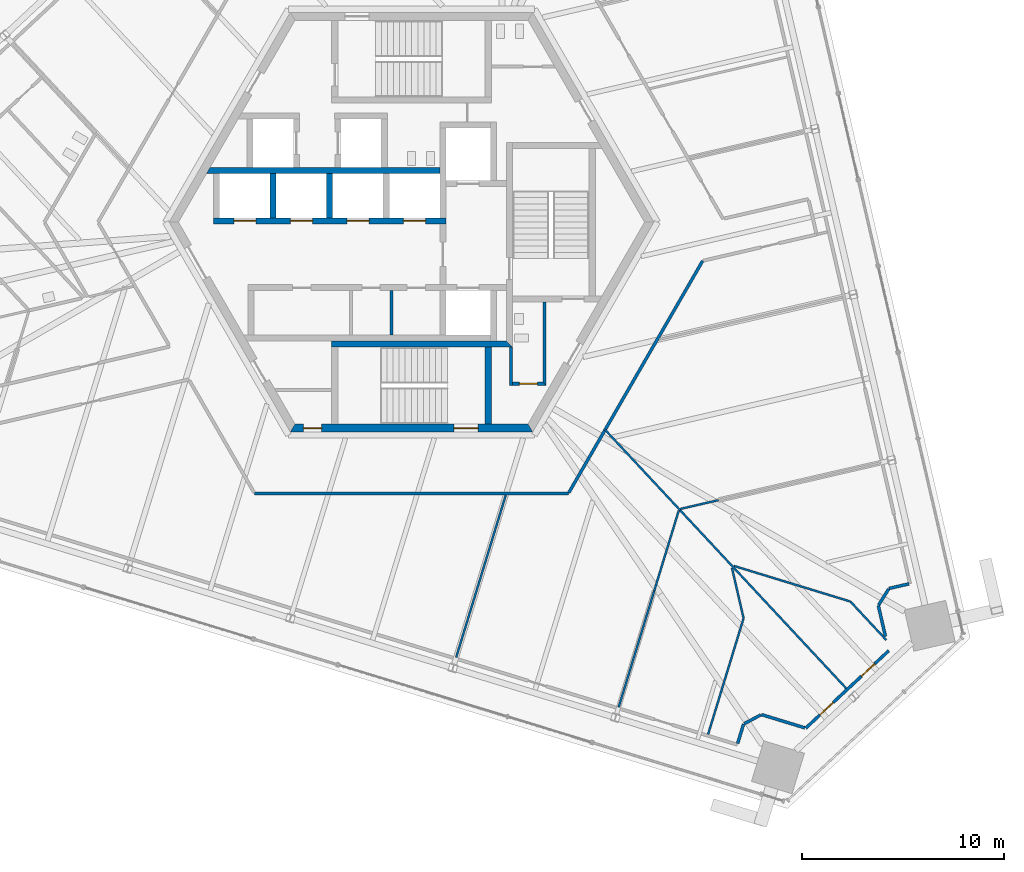
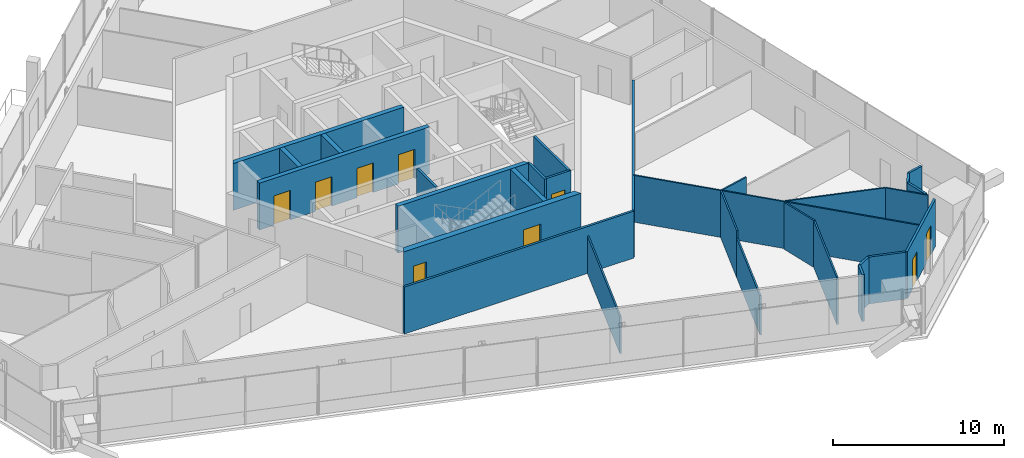
# One storey, part 18 of 25: 29 walls, 9 doors, 9 openings.
"""IFC4 building model written with IfcOpenShell, lengths in metres."""

from ifc_helpers import new_model, si_unit, direction, frame, frame_2d, origin, place, context, subcontext, project, spatial, polyline, rectangle, outline, extrude, source, transform, mapped, material, layer, layer_set, type_object, element, fill, save


model = new_model("IFC4")

# Units and contexts
model_context = context("Model", 3, precision=1e-05, world=origin(), true_north=direction((0.0, 1.0)))
body_context = subcontext(model_context, "Body", "Model", "MODEL_VIEW")
ifc_project = project(units=[si_unit("LENGTHUNIT", "METRE"), si_unit("AREAUNIT", "SQUARE_METRE"), si_unit("VOLUMEUNIT", "CUBIC_METRE"), si_unit("PLANEANGLEUNIT", "RADIAN"), si_unit("MASSUNIT", "GRAM", prefix="KILO")], contexts=[model_context])

# Site, building, storey
site_placement = place(None, origin())
site = spatial("IfcSite", under=ifc_project, at=site_placement, CompositionType="ELEMENT")
building_placement = place(site_placement, origin())
building = spatial("IfcBuilding", under=site, at=building_placement, Name="Triune Harvest Tower", CompositionType="ELEMENT")
storey_placement = place(building_placement, frame((0.0, 0.0, 130.699951171875)))
storey = spatial("IfcBuildingStorey", under=building, at=storey_placement, Name="L33", CompositionType="ELEMENT", Elevation=130.699951171875)

# Walls
ifc_material_1 = material(Name="Gypsum board on steel studs", Category="steel")
ifc_layer_1 = layer(ifc_material_1, 0.14990234375)
ifc_layer_set_1 = layer_set([ifc_layer_1], Name="Gypsum board on steel studs")
wall_type_1 = type_object("IfcWallType", Name="Fire Partition 150 mm", PredefinedType="PARTITIONING", material=ifc_layer_set_1)
wall_1_placement = place(storey_placement, frame((23.113037109375, -18.98193359375, 0.0), z_axis=(0.0, 0.0, 1.0), x_axis=(0.224825298591, -0.974399089241, 0.0)))
element("IfcWall", 1, at=wall_1_placement, inside=storey, type_object=wall_type_1, Name="Partition L33 005", PredefinedType="PARTITIONING", context=body_context, shape_type="SweptSolid", body=[
    extrude(rectangle(XDim=1.563720703125, YDim=0.14990234375, at=frame_2d((0.78173828125, 0.0))), origin(), (0.0, 0.0, 1.0), 3.35009765625),
])
wall_2_placement = place(storey_placement, frame((17.323974609375, -24.379638671875, 0.0), z_axis=(0.0, 0.0, 1.0), x_axis=(0.956332154558, -0.292282072934, 0.0)))
element("IfcWall", 2, at=wall_2_placement, inside=storey, type_object=wall_type_1, Name="Partition L33 029", PredefinedType="PARTITIONING", context=body_context, shape_type="SweptSolid", body=[
    extrude(rectangle(XDim=2.245361328125, YDim=0.14990234375, at=frame_2d((1.12255859375, 0.0))), origin(), (0.0, 0.0, 1.0), 3.35009765625),
])
wall_3_placement = place(storey_placement, frame((-7.760986328125, -13.4423828125, 0.0), z_axis=(0.0, 0.0, 1.0), x_axis=(1.0, 0.0, 0.0)))
element("IfcWall", 3, at=wall_3_placement, inside=storey, type_object=wall_type_1, Name="Partition L33 034", PredefinedType="PARTITIONING", context=body_context, shape_type="SweptSolid", body=[
    extrude(rectangle(XDim=15.52197265625, YDim=0.14990234375, at=frame_2d((7.760986328125, 0.0))), origin(), (0.0, 0.0, 1.0), 3.35009765625),
])
wall_4_placement = place(storey_placement, frame((7.785888671875, -13.399169921875, 0.0), z_axis=(0.0, 0.0, 1.0), x_axis=(0.499991742513, 0.866030171195, 0.0)))
element("IfcWall", 4, at=wall_4_placement, inside=storey, type_object=wall_type_1, Name="Partition L33 062", PredefinedType="PARTITIONING", context=body_context, shape_type="SweptSolid", body=[
    extrude(rectangle(XDim=13.262939453125, YDim=0.14990234375, at=frame_2d((6.63134765625, 0.0))), origin(), (0.0, 0.0, 1.0), 3.35009765625),
])
wall_5_placement = place(storey_placement, frame((16.14697265625, -25.81298828125, 0.0), z_axis=(0.0, 0.0, 1.0), x_axis=(0.292433965654, 0.95628571867, 0.0)))
element("IfcWall", 5, at=wall_5_placement, inside=storey, type_object=wall_type_1, Name="Partition L33 065", PredefinedType="PARTITIONING", context=body_context, shape_type="SweptSolid", body=[
    extrude(rectangle(XDim=1.007568359375, YDim=0.14990234375, at=frame_2d((0.50390625, 0.0))), origin(), (0.0, 0.0, 1.0), 3.35009765625),
])
ifc_material_2 = material(Name="Gypsum board on steel studs", Category="steel")
ifc_layer_2 = layer(ifc_material_2, 0.10009765625)
ifc_layer_set_2 = layer_set([ifc_layer_2], Name="Gypsum board on steel studs")
wall_type_2 = type_object("IfcWallType", Name="Partition 100 mm", PredefinedType="PARTITIONING", material=ifc_layer_set_2)
wall_6_placement = place(storey_placement, frame((15.867919921875, -17.1259765625, 0.0), z_axis=(0.0, 0.0, 1.0), x_axis=(0.224971372407, -0.974365373768, 0.0)))
element("IfcWall", 6, at=wall_6_placement, inside=storey, type_object=wall_type_2, Name="Partition L33 003", PredefinedType="PARTITIONING", context=body_context, shape_type="SweptSolid", body=[
    extrude(rectangle(XDim=2.55029296875, YDim=0.10009765625, at=frame_2d((1.275146484375, 0.0))), origin(), (0.0, 0.0, 1.0), 3.35009765625),
])
wall_7_placement = place(storey_placement, frame((9.58642578125, -10.2802734375, 0.0), z_axis=(0.0, 0.0, 1.0), x_axis=(0.681999962516, -0.731352207304, 0.0)))
element("IfcWall", 7, at=wall_7_placement, inside=storey, type_object=wall_type_2, Name="Partition L33 020", PredefinedType="PARTITIONING", context=body_context, shape_type="SweptSolid", body=[
    extrude(rectangle(XDim=17.576416015625, YDim=0.10009765625, at=frame_2d((8.7880859375, 0.0))), origin(), (0.0, 0.0, 1.0), 3.35009765625),
])
wall_8_placement = place(storey_placement, frame((21.735595703125, -18.78955078125, 0.0), z_axis=(0.0, 0.0, 1.0), x_axis=(0.682003393225, -0.731349008087, 0.0)))
element("IfcWall", 8, at=wall_8_placement, inside=storey, type_object=wall_type_2, Name="Partition L33 021", PredefinedType="PARTITIONING", context=body_context, shape_type="SweptSolid", body=[
    extrude(rectangle(XDim=2.597412109375, YDim=0.10009765625, at=frame_2d((1.298828125, 0.0))), origin(), (0.0, 0.0, 1.0), 3.35009765625),
])
wall_9_placement = place(storey_placement, frame((15.968017578125, -17.020751953125, 0.0), z_axis=(0.0, 0.0, 1.0), x_axis=(0.956308459921, -0.292359589349, 0.0)))
element("IfcWall", 9, at=wall_9_placement, inside=storey, type_object=wall_type_2, Name="Partition L33 031", PredefinedType="PARTITIONING", context=body_context, shape_type="SweptSolid", body=[
    extrude(rectangle(XDim=6.024169921875, YDim=0.10009765625, at=frame_2d((3.01220703125, 0.0))), origin(), (0.0, 0.0, 1.0), 3.35009765625),
])
wall_10_placement = place(storey_placement, frame((13.311279296875, -14.198486328125, 0.0), z_axis=(0.0, 0.0, 1.0), x_axis=(0.974363495461, 0.224979507319, 0.0)))
element("IfcWall", 10, at=wall_10_placement, inside=storey, type_object=wall_type_2, Name="Partition L33 037", PredefinedType="PARTITIONING", context=body_context, shape_type="SweptSolid", body=[
    extrude(rectangle(XDim=1.931640625, YDim=0.10009765625, at=frame_2d((0.9658203125, 0.0))), origin(), (0.0, 0.0, 1.0), 3.35009765625),
])
wall_11_placement = place(storey_placement, frame((14.682373046875, -25.365234375, 0.0), z_axis=(0.0, 0.0, 1.0), x_axis=(0.292343264896, 0.956313450428, 0.0)))
element("IfcWall", 11, at=wall_11_placement, inside=storey, type_object=wall_type_2, Name="Partition L33 066", PredefinedType="PARTITIONING", context=body_context, shape_type="SweptSolid", body=[
    extrude(rectangle(XDim=6.01708984375, YDim=0.10009765625, at=frame_2d((3.008544921875, 0.0))), origin(), (0.0, 0.0, 1.0), 3.35009765625),
])
wall_12_placement = place(storey_placement, frame((10.253662109375, -24.021728515625, 0.0), z_axis=(0.0, 0.0, 1.0), x_axis=(0.292375874852, 0.956303481017, 0.0)))
element("IfcWall", 12, at=wall_12_placement, inside=storey, type_object=wall_type_2, Name="Partition L33 067", PredefinedType="PARTITIONING", context=body_context, shape_type="SweptSolid", body=[
    extrude(rectangle(XDim=6.031494140625, YDim=0.10009765625, at=frame_2d((3.015625, 0.0))), origin(), (0.0, 0.0, 1.0), 2.81396484375),
])
wall_13_placement = place(storey_placement, frame((12.01708984375, -18.25390625, 0.0), z_axis=(0.0, 0.0, 1.0), x_axis=(0.292380789886, 0.956301978303, 0.0)))
element("IfcWall", 13, at=wall_13_placement, inside=storey, type_object=wall_type_2, Name="Partition L33 067a", PredefinedType="PARTITIONING", context=body_context, shape_type="SweptSolid", body=[
    extrude(rectangle(XDim=4.166748046875, YDim=0.10009765625, at=frame_2d((2.08349609375, 0.0))), origin(), (0.0, 0.0, 1.0), 3.35009765625),
])
wall_14_placement = place(storey_placement, frame((2.209716796875, -21.552001953125, 0.0), z_axis=(0.0, 0.0, 1.0), x_axis=(0.292380044912, 0.956302206071, 0.0)))
element("IfcWall", 14, at=wall_14_placement, inside=storey, type_object=wall_type_2, Name="Partition L33 068", PredefinedType="PARTITIONING", context=body_context, shape_type="SweptSolid", body=[
    extrude(rectangle(XDim=8.41015625, YDim=0.10009765625, at=frame_2d((4.205078125, 0.0))), origin(), (0.0, 0.0, 1.0), 2.666748046875),
])

# Wall, openings, doors
ifc_material_3 = material(Name="Concrete 70 MPa", Category="concrete")
ifc_layer_3 = layer(ifc_material_3, 0.39990234375)
ifc_layer_set_3 = layer_set([ifc_layer_3], Name="Concrete 70 MPa")
wall_type_3 = type_object("IfcWallType", Name="Core wall 400", PredefinedType="SHEAR", material=ifc_layer_set_3)
shared_shape_1 = source(origin(), body_context, "Body", "SweptSolid", [
    extrude(outline(polyline([(-0.115478515625, -0.199951171875), (11.884521484375, -0.199951171875), (11.653564453125, 0.199951171875), (0.115478515625, 0.199951171875), (-0.115478515625, -0.199951171875)])), origin(), (0.0, 0.0, 1.0), 3.35009765625),
])
wall_15_placement = place(storey_placement, frame((-5.884521484375, -10.1923828125, 0.0), z_axis=(0.0, 0.0, 1.0), x_axis=(1.0, 0.0, 0.0)))
wall_15 = element("IfcWall", 15, at=wall_15_placement, inside=storey, type_object=wall_type_3, Name="Hexagon 4 wall", PredefinedType="SHEAR", context=body_context, shape_type="MappedRepresentation", body=[
    mapped(shared_shape_1, transform((0.0, 0.0, 0.0), scale=1.0)),
])
opening_1_placement = place(wall_15_placement, frame((7.984619140625, 0.0, 0.0)))
opening_1 = element("IfcOpeningElement", 16, at=opening_1_placement, cuts=wall_15, Name="Opening CD-S2P", PredefinedType="OPENING", context=body_context, shape_type="SweptSolid", body=[
    extrude(rectangle(XDim=1.199951171875, YDim=2.10009765625, at=frame_2d((0.60009765625, 1.050048828125))), frame((0.0, 0.2099609375, 0.0), z_axis=(0.0, -1.0, 0.0), x_axis=(1.0, 0.0, 0.0)), (0.0, 0.0, 1.0), 0.419921875),
])
opening_2_placement = place(wall_15_placement, frame((0.534423828125, 0.0, 0.0)))
opening_2 = element("IfcOpeningElement", 17, at=opening_2_placement, cuts=wall_15, Name="Opening CD-SWS", PredefinedType="OPENING", context=body_context, shape_type="SweptSolid", body=[
    extrude(rectangle(XDim=0.89990234375, YDim=2.10009765625, at=frame_2d((0.449951171875, 1.050048828125))), frame((0.0, 0.2099609375, 0.0), z_axis=(0.0, -1.0, 0.0), x_axis=(1.0, 0.0, 0.0)), (0.0, 0.0, 1.0), 0.419921875),
])
ifc_material_4 = material(Name="Steel S235", Category="steel")
door_type_1 = type_object("IfcDoorType", Name="Riser door 900 FD120", OperationType="SINGLE_SWING_LEFT", PredefinedType="DOOR", material=ifc_material_4)
door_1_placement = place(opening_2_placement, frame((0.89990234375, 0.0, 0.0), z_axis=(0.0, 0.0, 1.0), x_axis=(-1.0, 0.0, 0.0)))
door_1 = element("IfcDoor", 18, at=door_1_placement, inside=storey, type_object=door_type_1, Name="Door CD-SWS", OperationType="SINGLE_SWING_RIGHT", OverallHeight=2.10009765625, OverallWidth=0.89990234375, PredefinedType="DOOR", context=body_context, shape_type="SweptSolid", body=[
    extrude(rectangle(XDim=0.89990234375, YDim=2.10009765625, at=frame_2d((0.449951171875, 1.050048828125))), frame((0.0, 0.02490234375, 0.0), z_axis=(0.0, -1.0, 0.0), x_axis=(1.0, 0.0, 0.0)), (0.0, 0.0, 1.0), 0.050048828125),
])
fill(opening_2, door_1)
ifc_material_5 = material(Name="Steel S235", Category="steel")
door_type_2 = type_object("IfcDoorType", Name="Stair door 1200 FD120", OperationType="SINGLE_SWING_LEFT", PredefinedType="DOOR", material=ifc_material_5)
door_2_placement = place(opening_1_placement, frame((1.199951171875, 0.0, 0.0), z_axis=(0.0, 0.0, 1.0), x_axis=(-1.0, 0.0, 0.0)))
door_2 = element("IfcDoor", 19, at=door_2_placement, inside=storey, type_object=door_type_2, Name="Door CD-S2P", OperationType="SINGLE_SWING_RIGHT", OverallHeight=2.10009765625, OverallWidth=1.199951171875, PredefinedType="DOOR", context=body_context, shape_type="SweptSolid", body=[
    extrude(rectangle(XDim=1.199951171875, YDim=2.10009765625, at=frame_2d((0.60009765625, 1.050048828125))), frame((0.0, 0.02490234375, 0.0), z_axis=(0.0, -1.0, 0.0), x_axis=(1.0, 0.0, 0.0)), (0.0, 0.0, 1.0), 0.050048828125),
])
fill(opening_1, door_2)

ifc_material_6 = material(Name="Concrete 70 MPa", Category="concrete")
ifc_layer_4 = layer(ifc_material_6, 0.300048828125)
ifc_layer_set_4 = layer_set([ifc_layer_4], Name="Concrete 70 MPa")
wall_type_4 = type_object("IfcWallType", Name="Core wall 300", PredefinedType="SHEAR", material=ifc_layer_set_4)
shared_shape_2 = source(origin(), body_context, "Body", "SweptSolid", [
    extrude(rectangle(XDim=11.5, YDim=0.300048828125, at=frame_2d((5.75, 0.0))), origin(), (0.0, 0.0, 1.0), 3.35009765625),
])
wall_16_placement = place(storey_placement, frame((-9.800048828125, 0.06005859375, 0.0), z_axis=(0.0, 0.0, 1.0), x_axis=(1.0, 0.0, 0.0)))
wall_16 = element("IfcWall", 20, at=wall_16_placement, inside=storey, type_object=wall_type_4, Name="North front wall", PredefinedType="SHEAR", context=body_context, shape_type="MappedRepresentation", body=[
    mapped(shared_shape_2, transform((0.0, 0.0, 0.0), scale=1.0)),
])
opening_3_placement = place(wall_16_placement, frame((1.0, 0.0, 0.0)))
opening_3 = element("IfcOpeningElement", 21, at=opening_3_placement, cuts=wall_16, Name="Opening LD-LR1-33", PredefinedType="OPENING", context=body_context, shape_type="SweptSolid", body=[
    extrude(rectangle(XDim=1.10009765625, YDim=2.10009765625, at=frame_2d((0.550048828125, 1.050048828125))), frame((0.0, 0.16015625, 0.0), z_axis=(0.0, -1.0, 0.0), x_axis=(1.0, 0.0, 0.0)), (0.0, 0.0, 1.0), 0.320068359375),
])
opening_4_placement = place(wall_16_placement, frame((3.800048828125, 0.0, 0.0)))
opening_4 = element("IfcOpeningElement", 22, at=opening_4_placement, cuts=wall_16, Name="Opening LD-LR2-33", PredefinedType="OPENING", context=body_context, shape_type="SweptSolid", body=[
    extrude(rectangle(XDim=1.10009765625, YDim=2.10009765625, at=frame_2d((0.550048828125, 1.050048828125))), frame((0.0, 0.16015625, 0.0), z_axis=(0.0, -1.0, 0.0), x_axis=(1.0, 0.0, 0.0)), (0.0, 0.0, 1.0), 0.320068359375),
])
opening_5_placement = place(wall_16_placement, frame((6.60009765625, 0.0, 0.0)))
opening_5 = element("IfcOpeningElement", 23, at=opening_5_placement, cuts=wall_16, Name="Opening LD-LR3-33", PredefinedType="OPENING", context=body_context, shape_type="SweptSolid", body=[
    extrude(rectangle(XDim=1.10009765625, YDim=2.10009765625, at=frame_2d((0.550048828125, 1.050048828125))), frame((0.0, 0.16015625, 0.0), z_axis=(0.0, -1.0, 0.0), x_axis=(1.0, 0.0, 0.0)), (0.0, 0.0, 1.0), 0.320068359375),
])
opening_6_placement = place(wall_16_placement, frame((9.39990234375, 0.0, 0.0)))
opening_6 = element("IfcOpeningElement", 24, at=opening_6_placement, cuts=wall_16, Name="Opening LD-LR4-33", PredefinedType="OPENING", context=body_context, shape_type="SweptSolid", body=[
    extrude(rectangle(XDim=1.10009765625, YDim=2.10009765625, at=frame_2d((0.550048828125, 1.050048828125))), frame((0.0, 0.16015625, 0.0), z_axis=(0.0, -1.0, 0.0), x_axis=(1.0, 0.0, 0.0)), (0.0, 0.0, 1.0), 0.320068359375),
])
ifc_material_7 = material(Name="Stainless steel AISI 304", Category="steel")
door_type_3 = type_object("IfcDoorType", Name="Landing door 1100 x 2100", OperationType="DOUBLE_DOOR_SLIDING", PredefinedType="DOOR", material=ifc_material_7)
door_3_placement = place(opening_3_placement, origin())
door_3 = element("IfcDoor", 25, at=door_3_placement, inside=storey, type_object=door_type_3, Name="Door LD-LR1-33", OperationType="DOUBLE_DOOR_SLIDING", OverallHeight=2.10009765625, OverallWidth=1.10009765625, PredefinedType="DOOR", context=body_context, shape_type="SweptSolid", body=[
    extrude(rectangle(XDim=1.10009765625, YDim=2.10009765625, at=frame_2d((0.550048828125, 1.050048828125))), frame((0.0, 0.02490234375, 0.0), z_axis=(0.0, -1.0, 0.0), x_axis=(1.0, 0.0, 0.0)), (0.0, 0.0, 1.0), 0.050048828125),
])
fill(opening_3, door_3)
door_4_placement = place(opening_4_placement, origin())
door_4 = element("IfcDoor", 26, at=door_4_placement, inside=storey, type_object=door_type_3, Name="Door LD-LR2-33", OperationType="DOUBLE_DOOR_SLIDING", OverallHeight=2.10009765625, OverallWidth=1.10009765625, PredefinedType="DOOR", context=body_context, shape_type="SweptSolid", body=[
    extrude(rectangle(XDim=1.10009765625, YDim=2.10009765625, at=frame_2d((0.550048828125, 1.050048828125))), frame((0.0, 0.02490234375, 0.0), z_axis=(0.0, -1.0, 0.0), x_axis=(1.0, 0.0, 0.0)), (0.0, 0.0, 1.0), 0.050048828125),
])
fill(opening_4, door_4)
door_5_placement = place(opening_5_placement, origin())
door_5 = element("IfcDoor", 27, at=door_5_placement, inside=storey, type_object=door_type_3, Name="Door LD-LR3-33", OperationType="DOUBLE_DOOR_SLIDING", OverallHeight=2.10009765625, OverallWidth=1.10009765625, PredefinedType="DOOR", context=body_context, shape_type="SweptSolid", body=[
    extrude(rectangle(XDim=1.10009765625, YDim=2.10009765625, at=frame_2d((0.550048828125, 1.050048828125))), frame((0.0, 0.02490234375, 0.0), z_axis=(0.0, -1.0, 0.0), x_axis=(1.0, 0.0, 0.0)), (0.0, 0.0, 1.0), 0.050048828125),
])
fill(opening_5, door_5)
door_6_placement = place(opening_6_placement, origin())
door_6 = element("IfcDoor", 28, at=door_6_placement, inside=storey, type_object=door_type_3, Name="Door LD-LR4-33", OperationType="DOUBLE_DOOR_SLIDING", OverallHeight=2.10009765625, OverallWidth=1.10009765625, PredefinedType="DOOR", context=body_context, shape_type="SweptSolid", body=[
    extrude(rectangle(XDim=1.10009765625, YDim=2.10009765625, at=frame_2d((0.550048828125, 1.050048828125))), frame((0.0, 0.02490234375, 0.0), z_axis=(0.0, -1.0, 0.0), x_axis=(1.0, 0.0, 0.0)), (0.0, 0.0, 1.0), 0.050048828125),
])
fill(opening_6, door_6)

# Walls
shared_shape_3 = source(origin(), body_context, "Body", "SweptSolid", [
    extrude(outline(polyline([(11.199951171875, -0.14990234375), (-0.34912109375, -0.14990234375), (-0.17578125, 0.14990234375), (11.199951171875, 0.14990234375), (11.199951171875, -0.14990234375)])), origin(), (0.0, 0.0, 1.0), 3.35009765625),
])
wall_17_placement = place(storey_placement, frame((-9.800048828125, 2.56005859375, 0.0), z_axis=(0.0, 0.0, 1.0), x_axis=(1.0, 0.0, 0.0)))
element("IfcWall", 29, at=wall_17_placement, inside=storey, type_object=wall_type_4, Name="North back wall", PredefinedType="SHEAR", context=body_context, shape_type="MappedRepresentation", body=[
    mapped(shared_shape_3, transform((0.0, 0.0, 0.0), scale=1.0)),
])
shared_shape_4 = source(origin(), body_context, "Body", "SweptSolid", [
    extrude(rectangle(XDim=2.199951171875, YDim=0.300048828125, at=frame_2d((1.10009765625, 0.0))), origin(), (0.0, 0.0, 1.0), 3.35009765625),
])
for number, where, z_axis, x_axis, name in (
    (30, (-6.85009765625, 0.2099609375, 0.0), (0.0, 0.0, 1.0), (0.0, 1.0, 0.0), "North cross 1 wall"),
    (31, (-4.050048828125, 0.2099609375, 0.0), (0.0, 0.0, 1.0), (0.0, 1.0, 0.0), "North cross 2 wall"),
):
    element("IfcWall", number, at=place(storey_placement, frame(where, z_axis=z_axis, x_axis=x_axis)), inside=storey, type_object=wall_type_4, Name=name, PredefinedType="SHEAR", context=body_context, shape_type="MappedRepresentation", body=[
        mapped(shared_shape_4, transform((0.0, 0.0, 0.0), scale=1.0)),
    ])
shared_shape_5 = source(origin(), body_context, "Body", "SweptSolid", [
    extrude(outline(polyline([(0.0, -0.14990234375), (8.949951171875, -0.14990234375), (8.64990234375, 0.14990234375), (0.0, 0.14990234375), (0.0, -0.14990234375)])), origin(), (0.0, 0.0, 1.0), 3.35009765625),
])
wall_18_placement = place(storey_placement, frame((-3.949951171875, -6.0400390625, 0.0), z_axis=(0.0, 0.0, 1.0), x_axis=(1.0, 0.0, 0.0)))
element("IfcWall", 32, at=wall_18_placement, inside=storey, type_object=wall_type_4, Name="Stair s north wall", PredefinedType="SHEAR", context=body_context, shape_type="MappedRepresentation", body=[
    mapped(shared_shape_5, transform((0.0, 0.0, 0.0), scale=1.0)),
])
shared_shape_6 = source(origin(), body_context, "Body", "SweptSolid", [
    extrude(outline(polyline([(3.800048828125, -0.14990234375), (-0.00439453125, -0.14990234375), (-0.00439453125, 0.14990234375), (3.800048828125, 0.14990234375), (3.800048828125, -0.14990234375)])), origin(), (0.0, 0.0, 1.0), 3.35009765625),
])
wall_19_placement = place(storey_placement, frame((3.800048828125, -9.989990234375, 0.0), z_axis=(0.0, 0.0, 1.0), x_axis=(0.0, 1.0, 0.0)))
element("IfcWall", 33, at=wall_19_placement, inside=storey, type_object=wall_type_4, Name="Stair s east wall", PredefinedType="SHEAR", context=body_context, shape_type="MappedRepresentation", body=[
    mapped(shared_shape_6, transform((0.0, 0.0, 0.0), scale=1.0)),
])
ifc_material_8 = material(Name="Concrete masonry unit", Category="masonry")
ifc_layer_5 = layer(ifc_material_8, 0.14990234375)
ifc_layer_set_5 = layer_set([ifc_layer_5], Name="Concrete masonry unit")
wall_type_5 = type_object("IfcWallType", Name="Block partition 150", PredefinedType="PARTITIONING", material=ifc_layer_set_5)
shared_shape_7 = source(origin(), body_context, "Body", "SweptSolid", [
    extrude(rectangle(XDim=2.2001953125, YDim=0.14990234375, at=frame_2d((1.10009765625, 0.0))), origin(), (0.0, 0.0, 1.0), 3.35009765625),
])
wall_20_placement = place(storey_placement, frame((-1.0, -5.590087890625, 0.0), z_axis=(0.0, 0.0, 1.0), x_axis=(0.0, 1.0, 0.0)))
element("IfcWall", 34, at=wall_20_placement, inside=storey, type_object=wall_type_5, Name="Row s part 2 wall", PredefinedType="PARTITIONING", context=body_context, shape_type="MappedRepresentation", body=[
    mapped(shared_shape_7, transform((0.0, 0.0, 0.0), scale=1.0)),
])

# Wall, opening, door
ifc_material_9 = material(Name="Concrete masonry unit", Category="masonry")
ifc_layer_6 = layer(ifc_material_9, 0.14990234375)
ifc_layer_set_6 = layer_set([ifc_layer_6], Name="Concrete masonry unit")
wall_type_6 = type_object("IfcWallType", Name="Block partition 150 unrated", PredefinedType="PARTITIONING", material=ifc_layer_set_6)
shared_shape_8 = source(origin(), body_context, "Body", "SweptSolid", [
    extrude(outline(polyline([(0.0, -0.074951171875), (1.64990234375, -0.074951171875), (1.5, 0.074951171875), (0.0, 0.074951171875), (0.0, -0.074951171875)])), origin(), (0.0, 0.0, 1.0), 3.35009765625),
])
wall_21_placement = place(storey_placement, frame((5.0, -8.0, 0.0), z_axis=(0.0, 0.0, 1.0), x_axis=(1.0, 0.0, 0.0)))
wall_21 = element("IfcWall", 35, at=wall_21_placement, inside=storey, type_object=wall_type_6, Name="Wc acc south wall", PredefinedType="PARTITIONING", context=body_context, shape_type="MappedRepresentation", body=[
    mapped(shared_shape_8, transform((0.0, 0.0, 0.0), scale=1.0)),
])
opening_7_placement = place(wall_21_placement, frame((0.33740234375, 0.0, 0.0)))
opening_7 = element("IfcOpeningElement", 36, at=opening_7_placement, cuts=wall_21, Name="Opening CD-WA", PredefinedType="OPENING", context=body_context, shape_type="SweptSolid", body=[
    extrude(rectangle(XDim=0.89990234375, YDim=2.10009765625, at=frame_2d((0.449951171875, 1.050048828125))), frame((0.0, 0.0849609375, 0.0), z_axis=(0.0, -1.0, 0.0), x_axis=(1.0, 0.0, 0.0)), (0.0, 0.0, 1.0), 0.169921875),
])
ifc_material_10 = material(Name="Timber C24", Category="wood")
door_type_4 = type_object("IfcDoorType", Name="WC door 900", OperationType="SINGLE_SWING_LEFT", PredefinedType="DOOR", material=ifc_material_10)
door_7_placement = place(opening_7_placement, origin())
door_7 = element("IfcDoor", 37, at=door_7_placement, inside=storey, type_object=door_type_4, Name="Door CD-WA", OperationType="SINGLE_SWING_LEFT", OverallHeight=2.10009765625, OverallWidth=0.89990234375, PredefinedType="DOOR", context=body_context, shape_type="SweptSolid", body=[
    extrude(rectangle(XDim=0.89990234375, YDim=2.10009765625, at=frame_2d((0.449951171875, 1.050048828125))), frame((0.0, 0.02490234375, 0.0), z_axis=(0.0, -1.0, 0.0), x_axis=(1.0, 0.0, 0.0)), (0.0, 0.0, 1.0), 0.050048828125),
])
fill(opening_7, door_7)

# Walls
shared_shape_9 = source(origin(), body_context, "Body", "SweptSolid", [
    extrude(outline(polyline([(-0.074951171875, -0.074951171875), (4.050048828125, -0.074951171875), (4.050048828125, 0.074951171875), (0.074951171875, 0.074951171875), (-0.074951171875, -0.074951171875)])), origin(), (0.0, 0.0, 1.0), 3.35009765625),
])
wall_22_placement = place(storey_placement, frame((6.574951171875, -8.0, 0.0), z_axis=(0.0, 0.0, 1.0), x_axis=(0.0, 1.0, 0.0)))
element("IfcWall", 38, at=wall_22_placement, inside=storey, type_object=wall_type_6, Name="Wc acc east wall", PredefinedType="PARTITIONING", context=body_context, shape_type="MappedRepresentation", body=[
    mapped(shared_shape_9, transform((0.0, 0.0, 0.0), scale=1.0)),
])
shared_shape_10 = source(origin(), body_context, "Body", "SweptSolid", [
    extrude(rectangle(XDim=1.885009765625, YDim=0.14990234375, at=frame_2d((0.9423828125, 0.0))), origin(), (0.0, 0.0, 1.0), 3.35009765625),
])
wall_23_placement = place(storey_placement, frame((4.925048828125, -8.074951171875, 0.0), z_axis=(0.0, 0.0, 1.0), x_axis=(0.0, 1.0, 0.0)))
element("IfcWall", 39, at=wall_23_placement, inside=storey, type_object=wall_type_6, Name="Wc acc west wall", PredefinedType="PARTITIONING", context=body_context, shape_type="MappedRepresentation", body=[
    mapped(shared_shape_10, transform((0.0, 0.0, 0.0), scale=1.0)),
])

# Wall, openings, doors
shared_shape_11 = source(origin(), body_context, "Body", "SweptSolid", [
    extrude(rectangle(XDim=5.621337890625, YDim=0.14990234375, at=frame_2d((2.810546875, 0.0))), origin(), (0.0, 0.0, 1.0), 3.35009765625),
])
wall_24_placement = place(storey_placement, frame((19.51806640625, -25.0517578125, 0.0), z_axis=(0.0, 0.0, 1.0), x_axis=(0.731323840229, 0.682030381077, 0.0)))
wall_24 = element("IfcWall", 40, at=wall_24_placement, inside=storey, type_object=wall_type_1, Name="Partition L33 054", PredefinedType="PARTITIONING", context=body_context, shape_type="MappedRepresentation", body=[
    mapped(shared_shape_11, transform((0.0, 0.0, 0.0), scale=1.0)),
])
opening_8_placement = place(wall_24_placement, frame((0.960693359375, 0.0, 0.0)))
opening_8 = element("IfcOpeningElement", 41, at=opening_8_placement, cuts=wall_24, Name="Opening L33-031", PredefinedType="OPENING", context=body_context, shape_type="SweptSolid", body=[
    extrude(rectangle(XDim=0.89990234375, YDim=2.10009765625, at=frame_2d((0.449951171875, 1.050048828125))), frame((0.0, 0.0849609375, 0.0), z_axis=(0.0, -1.0, 0.0), x_axis=(1.0, 0.0, 0.0)), (0.0, 0.0, 1.0), 0.169921875),
])
opening_9_placement = place(wall_24_placement, frame((3.771484375, 0.0, 0.0)))
opening_9 = element("IfcOpeningElement", 42, at=opening_9_placement, cuts=wall_24, Name="Opening L33-032", PredefinedType="OPENING", context=body_context, shape_type="SweptSolid", body=[
    extrude(rectangle(XDim=0.89990234375, YDim=2.10009765625, at=frame_2d((0.449951171875, 1.050048828125))), frame((0.0, 0.0849609375, 0.0), z_axis=(0.0, -1.0, 0.0), x_axis=(1.0, 0.0, 0.0)), (0.0, 0.0, 1.0), 0.169921875),
])
ifc_material_11 = material(Name="Timber and steel door set", Category="steel")
door_type_5 = type_object("IfcDoorType", Name="Single leaf door FD30 left hand 900 x 2100", OperationType="SINGLE_SWING_LEFT", PredefinedType="DOOR", material=ifc_material_11)
door_8_placement = place(opening_8_placement, origin())
door_8 = element("IfcDoor", 43, at=door_8_placement, inside=storey, type_object=door_type_5, Name="Door L33-031 Meeting Room 33.31", OperationType="SINGLE_SWING_LEFT", OverallHeight=2.10009765625, OverallWidth=0.89990234375, PredefinedType="DOOR", context=body_context, shape_type="SweptSolid", body=[
    extrude(rectangle(XDim=0.89990234375, YDim=2.10009765625, at=frame_2d((0.449951171875, 1.050048828125))), frame((0.0, 0.02490234375, 0.0), z_axis=(0.0, -1.0, 0.0), x_axis=(1.0, 0.0, 0.0)), (0.0, 0.0, 1.0), 0.050048828125),
])
fill(opening_8, door_8)
ifc_material_12 = material(Name="Timber and steel door set", Category="steel")
door_type_6 = type_object("IfcDoorType", Name="Single leaf door FD30 right hand 900 x 2100", OperationType="SINGLE_SWING_RIGHT", PredefinedType="DOOR", material=ifc_material_12)
door_9_placement = place(opening_9_placement, origin())
door_9 = element("IfcDoor", 44, at=door_9_placement, inside=storey, type_object=door_type_6, Name="Door L33-032 Office 33.32", OperationType="SINGLE_SWING_RIGHT", OverallHeight=2.10009765625, OverallWidth=0.89990234375, PredefinedType="DOOR", context=body_context, shape_type="SweptSolid", body=[
    extrude(rectangle(XDim=0.89990234375, YDim=2.10009765625, at=frame_2d((0.449951171875, 1.050048828125))), frame((0.0, 0.02490234375, 0.0), z_axis=(0.0, -1.0, 0.0), x_axis=(1.0, 0.0, 0.0)), (0.0, 0.0, 1.0), 0.050048828125),
])
fill(opening_9, door_9)

# Walls
shared_shape_12 = source(origin(), body_context, "Body", "SweptSolid", [
    extrude(rectangle(XDim=1.017822265625, YDim=0.14990234375, at=frame_2d((0.5087890625, 0.0))), origin(), (0.0, 0.0, 1.0), 3.35009765625),
])
wall_25_placement = place(storey_placement, frame((23.641845703125, -18.135009765625, 0.0), z_axis=(0.0, 0.0, 1.0), x_axis=(0.974358843364, 0.22499965413, 0.0)))
element("IfcWall", 45, at=wall_25_placement, inside=storey, type_object=wall_type_1, Name="Partition L33 036", PredefinedType="PARTITIONING", context=body_context, shape_type="MappedRepresentation", body=[
    mapped(shared_shape_12, transform((0.0, 0.0, 0.0), scale=1.0)),
])
shared_shape_13 = source(origin(), body_context, "Body", "SweptSolid", [
    extrude(rectangle(XDim=0.938232421875, YDim=0.14990234375, at=frame_2d((0.46923828125, 0.0))), origin(), (0.0, 0.0, 1.0), 3.35009765625),
])
for number, where, z_axis, x_axis, name in (
    (46, (16.468017578125, -24.835205078125, 0.0), (0.0, 0.0, 1.0), (0.882957311919, 0.469453283437, 0.0), "Partition L33 053"),
    (47, (23.12890625, -18.9560546875, 0.0), (0.0, 0.0, 1.0), (0.529835187763, 0.848100627171, 0.0), "Partition L33 061"),
):
    element("IfcWall", number, at=place(storey_placement, frame(where, z_axis=z_axis, x_axis=x_axis)), inside=storey, type_object=wall_type_1, Name=name, PredefinedType="PARTITIONING", context=body_context, shape_type="MappedRepresentation", body=[
        mapped(shared_shape_13, transform((0.0, 0.0, 0.0), scale=1.0)),
    ])

save(model, "model.ifc")
